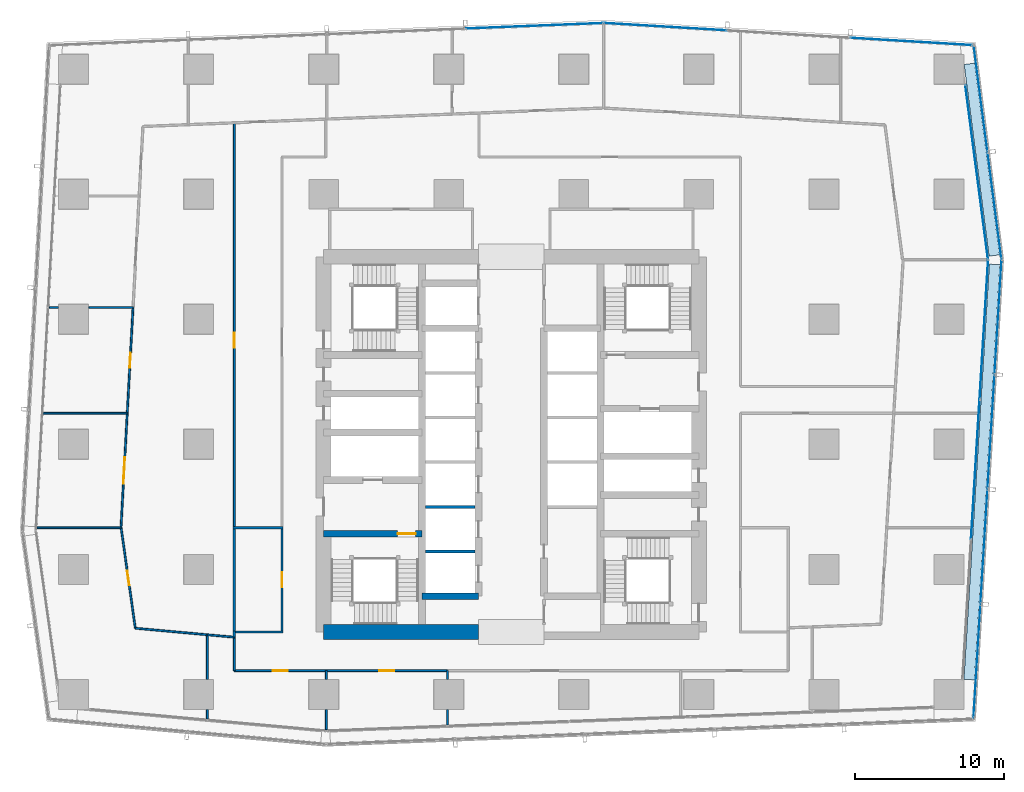
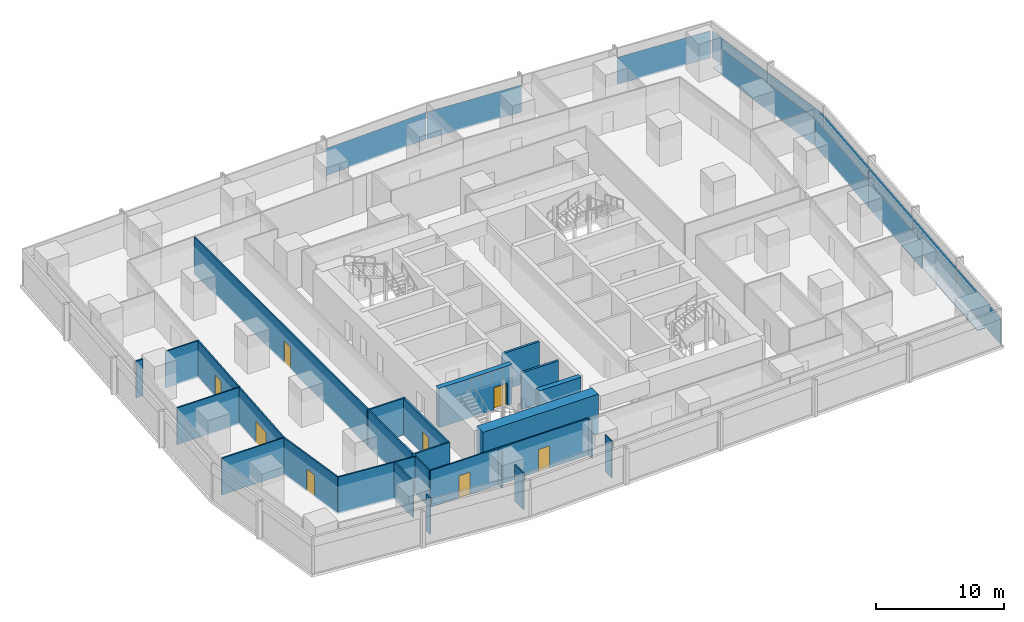
# One storey, part 28 of 39: 29 walls, 14 plates, 8 doors, 8 openings, 6 elements without a shape of their own.
"""IFC4 building model written with IfcOpenShell, lengths in metres."""

from ifc_helpers import new_model, si_unit, direction, frame, frame_2d, origin, origin_2d, place, context, subcontext, project, spatial, rectangle, extrude, material, layer, layer_set, type_object, element, fill, aggregate, save


model = new_model("IFC4")

# Units and contexts
model_context = context("Model", 3, precision=1e-05, world=origin(), true_north=direction((0.0, 1.0)))
body_context = subcontext(model_context, "Body", "Model", "MODEL_VIEW")
ifc_project = project(units=[si_unit("LENGTHUNIT", "METRE"), si_unit("AREAUNIT", "SQUARE_METRE"), si_unit("VOLUMEUNIT", "CUBIC_METRE"), si_unit("PLANEANGLEUNIT", "RADIAN"), si_unit("MASSUNIT", "GRAM", prefix="KILO")], contexts=[model_context])

# Site, building, storey
site_placement = place(None, origin())
site = spatial("IfcSite", under=ifc_project, at=site_placement, CompositionType="ELEMENT")
building_placement = place(site_placement, origin())
building = spatial("IfcBuilding", under=site, at=building_placement, Name="Rekha Terrace Tower", CompositionType="ELEMENT")
storey_placement = place(building_placement, frame((0.0, 0.0, 147.800048828125)))
storey = spatial("IfcBuildingStorey", under=building, at=storey_placement, Name="L37", CompositionType="ELEMENT", Elevation=147.800048828125)

# Curtain wall, plates
ifc_material_1 = material(Name="Aluminium framing", Category="aluminium")
curtain_wall_type_1 = type_object("IfcCurtainWallType", Name="CW1 double skin inner glazing", PredefinedType="USERDEFINED", material=ifc_material_1)
curtain_wall_1_placement = place(storey_placement, origin())
curtain_wall_1 = element("IfcCurtainWall", 1, at=curtain_wall_1_placement, inside=storey, type_object=curtain_wall_type_1, Name="CW1 double skin inner glazing", ObjectType="DOUBLE SKIN INNER GLAZING", PredefinedType="USERDEFINED")
ifc_material_2 = material(Name="Double-glazed low-e unit 32", Category="glass")
ifc_layer_1 = layer(ifc_material_2, 0.031982421875)
ifc_layer_set_1 = layer_set([ifc_layer_1], Name="Double-glazed low-e unit 32")
plate_type_1 = type_object("IfcPlateType", Name="CW1 jumbo vision panel, double-glazed low-e unit 32", PredefinedType="CURTAIN_PANEL", material=ifc_layer_set_1)
plate_1_placement = place(storey_placement, frame((68.973388671875, 31.898681640625, 0.0), z_axis=(0.0, 0.0, 1.0), x_axis=(0.061159803131, 0.998127987024, 0.0)))
plate_1 = element("IfcPlate", 2, at=plate_1_placement, type_object=plate_type_1, Name="CW1 panel 2.1", PredefinedType="CURTAIN_PANEL", context=body_context, shape_type="SweptSolid", body=[
    extrude(rectangle(XDim=9.334716796875, YDim=0.031982421875, at=origin_2d()), origin(), (0.0, 0.0, 1.0), 2.60009765625),
])
plate_2_placement = place(storey_placement, frame((69.54931640625, 41.296875, 0.0), z_axis=(0.0, 0.0, 1.0), x_axis=(0.061159803131, 0.998127987024, 0.0)))
plate_2 = element("IfcPlate", 3, at=plate_2_placement, type_object=plate_type_1, Name="CW1 panel 3.1", PredefinedType="CURTAIN_PANEL", context=body_context, shape_type="SweptSolid", body=[
    extrude(rectangle(XDim=9.3671875, YDim=0.031982421875, at=origin_2d()), origin(), (0.0, 0.0, 1.0), 2.60009765625),
])
aggregate(curtain_wall_1, [plate_1, plate_2])

# Curtain wall, plate
curtain_wall_2_placement = place(storey_placement, origin())
curtain_wall_2 = element("IfcCurtainWall", 4, at=curtain_wall_2_placement, inside=storey, type_object=curtain_wall_type_1, Name="CW1 double skin inner glazing", ObjectType="DOUBLE SKIN INNER GLAZING", PredefinedType="USERDEFINED")
plate_3_placement = place(storey_placement, frame((69.066162109375, 51.882080078125, 0.0), z_axis=(0.0, 0.0, 1.0), x_axis=(-0.129118383675, 0.991629186237, 0.0)))
plate_3 = element("IfcPlate", 5, at=plate_3_placement, type_object=plate_type_1, Name="CW1 panel 1.1", PredefinedType="CURTAIN_PANEL", context=body_context, shape_type="SweptSolid", body=[
    extrude(rectangle(XDim=11.79052734375, YDim=0.031982421875, at=origin_2d()), origin(), (0.0, 0.0, 1.0), 2.60009765625),
])
aggregate(curtain_wall_2, [plate_3])

# Curtain wall, plates
curtain_wall_type_2 = type_object("IfcCurtainWallType", Name="CW2 double skin outer glazing", PredefinedType="USERDEFINED", material=ifc_material_1)
curtain_wall_3_placement = place(storey_placement, origin())
curtain_wall_3 = element("IfcCurtainWall", 6, at=curtain_wall_3_placement, inside=storey, type_object=curtain_wall_type_2, Name="CW2 double skin outer glazing", ObjectType="DOUBLE SKIN OUTER GLAZING", PredefinedType="USERDEFINED")
ifc_material_3 = material(Name="Toughened single glazing 12", Category="glass")
ifc_layer_2 = layer(ifc_material_3, 0.011962890625)
ifc_layer_set_2 = layer_set([ifc_layer_2], Name="Toughened single glazing 12")
plate_type_2 = type_object("IfcPlateType", Name="CW2 jumbo vision panel, toughened single glazing 12", PredefinedType="CURTAIN_PANEL", material=ifc_layer_set_2)
plate_4_placement = place(storey_placement, frame((69.086669921875, 19.0302734375, 0.0), z_axis=(0.0, 0.0, 1.0), x_axis=(0.061159803131, 0.998127987024, 0.0)))
plate_4 = element("IfcPlate", 7, at=plate_4_placement, type_object=plate_type_2, Name="CW2 panel 1.1", PredefinedType="CURTAIN_PANEL", context=body_context, shape_type="SweptSolid", body=[
    extrude(rectangle(XDim=7.6064453125, YDim=0.011962890625, at=origin_2d()), origin(), (0.0, 0.0, 1.0), 2.60009765625),
])
plate_5_placement = place(storey_placement, frame((69.557861328125, 26.722412109375, 0.0), z_axis=(0.0, 0.0, 1.0), x_axis=(0.061159803131, 0.998127987024, 0.0)))
plate_5 = element("IfcPlate", 8, at=plate_5_placement, type_object=plate_type_2, Name="CW2 panel 2.1", PredefinedType="CURTAIN_PANEL", context=body_context, shape_type="SweptSolid", body=[
    extrude(rectangle(XDim=7.646484375, YDim=0.011962890625, at=origin_2d()), origin(), (0.0, 0.0, 1.0), 2.60009765625),
])
plate_6_placement = place(storey_placement, frame((70.030517578125, 34.434326171875, 0.0), z_axis=(0.0, 0.0, 1.0), x_axis=(0.061159803131, 0.998127987024, 0.0)))
plate_6 = element("IfcPlate", 9, at=plate_6_placement, type_object=plate_type_2, Name="CW2 panel 3.1", PredefinedType="CURTAIN_PANEL", context=body_context, shape_type="SweptSolid", body=[
    extrude(rectangle(XDim=7.646484375, YDim=0.011962890625, at=origin_2d()), origin(), (0.0, 0.0, 1.0), 2.60009765625),
])
plate_7_placement = place(storey_placement, frame((70.50439453125, 42.16650390625, 0.0), z_axis=(0.0, 0.0, 1.0), x_axis=(0.061159803131, 0.998127987024, 0.0)))
plate_7 = element("IfcPlate", 10, at=plate_7_placement, type_object=plate_type_2, Name="CW2 panel 4.1", PredefinedType="CURTAIN_PANEL", context=body_context, shape_type="SweptSolid", body=[
    extrude(rectangle(XDim=7.6865234375, YDim=0.011962890625, at=origin_2d()), origin(), (0.0, 0.0, 1.0), 2.60009765625),
])
aggregate(curtain_wall_3, [plate_4, plate_5, plate_6, plate_7])

curtain_wall_4_placement = place(storey_placement, origin())
curtain_wall_4 = element("IfcCurtainWall", 11, at=curtain_wall_4_placement, inside=storey, type_object=curtain_wall_type_2, Name="CW2 double skin outer glazing", ObjectType="DOUBLE SKIN OUTER GLAZING", PredefinedType="USERDEFINED")
plate_8_placement = place(storey_placement, frame((70.2666015625, 49.6337890625, 0.0), z_axis=(0.0, 0.0, 1.0), x_axis=(-0.129118383623, 0.991629186244, 0.0)))
plate_8 = element("IfcPlate", 12, at=plate_8_placement, type_object=plate_type_2, Name="CW2 panel 1.1", PredefinedType="CURTAIN_PANEL", context=body_context, shape_type="SweptSolid", body=[
    extrude(rectangle(XDim=7.163818359375, YDim=0.011962890625, at=origin_2d()), origin(), (0.0, 0.0, 1.0), 2.60009765625),
])
plate_9_placement = place(storey_placement, frame((69.331298828125, 56.81689453125, 0.0), z_axis=(0.0, 0.0, 1.0), x_axis=(-0.129118383623, 0.991629186244, 0.0)))
plate_9 = element("IfcPlate", 13, at=plate_9_placement, type_object=plate_type_2, Name="CW2 panel 2.1", PredefinedType="CURTAIN_PANEL", context=body_context, shape_type="SweptSolid", body=[
    extrude(rectangle(XDim=7.163818359375, YDim=0.011962890625, at=origin_2d()), origin(), (0.0, 0.0, 1.0), 2.60009765625),
])
aggregate(curtain_wall_4, [plate_8, plate_9])

curtain_wall_type_3 = type_object("IfcCurtainWallType", Name="CW3 north unitised glazing", PredefinedType="USERDEFINED", material=ifc_material_1)
curtain_wall_5_placement = place(storey_placement, origin())
curtain_wall_5 = element("IfcCurtainWall", 14, at=curtain_wall_5_placement, inside=storey, type_object=curtain_wall_type_3, Name="CW3 unitised curtain wall", ObjectType="UNITISED CURTAIN WALL", PredefinedType="USERDEFINED")
ifc_material_4 = material(Name="Double-glazed unit 28", Category="glass")
ifc_layer_3 = layer(ifc_material_4, 0.028076171875)
ifc_layer_set_3 = layer_set([ifc_layer_3], Name="Double-glazed unit 28")
plate_type_3 = type_object("IfcPlateType", Name="CW3 jumbo vision panel, double-glazed unit 28", PredefinedType="CURTAIN_PANEL", material=ifc_layer_set_3)
plate_10_placement = place(storey_placement, frame((64.6748046875, 60.65966796875, 0.0), z_axis=(0.0, 0.0, 1.0), x_axis=(-0.998199102701, 0.059987926837, 0.0)))
plate_10 = element("IfcPlate", 15, at=plate_10_placement, type_object=plate_type_3, Name="CW3 panel 1.1", PredefinedType="CURTAIN_PANEL", context=body_context, shape_type="SweptSolid", body=[
    extrude(rectangle(XDim=8.171630859375, YDim=0.028076171875, at=origin_2d()), origin(), (0.0, 0.0, 1.0), 2.60009765625),
])
plate_11_placement = place(storey_placement, frame((48.1513671875, 61.652587890625, 0.0), z_axis=(0.0, 0.0, 1.0), x_axis=(-0.998199102701, 0.059987926837, 0.0)))
plate_11 = element("IfcPlate", 16, at=plate_11_placement, type_object=plate_type_3, Name="CW3 panel 3.1", PredefinedType="CURTAIN_PANEL", context=body_context, shape_type="SweptSolid", body=[
    extrude(rectangle(XDim=8.24169921875, YDim=0.028076171875, at=origin_2d()), origin(), (0.0, 0.0, 1.0), 2.60009765625),
])
aggregate(curtain_wall_5, [plate_10, plate_11])

# Curtain wall, plate
curtain_wall_6_placement = place(storey_placement, origin())
curtain_wall_6 = element("IfcCurtainWall", 17, at=curtain_wall_6_placement, inside=storey, type_object=curtain_wall_type_3, Name="CW3 unitised curtain wall", ObjectType="UNITISED CURTAIN WALL", PredefinedType="USERDEFINED")
plate_12_placement = place(storey_placement, frame((39.364501953125, 61.71240234375, 0.0), z_axis=(0.0, 0.0, 1.0), x_axis=(-0.999198398721, -0.040031987119, 0.0)))
plate_12 = element("IfcPlate", 18, at=plate_12_placement, type_object=plate_type_3, Name="CW3 panel 1.1", PredefinedType="CURTAIN_PANEL", context=body_context, shape_type="SweptSolid", body=[
    extrude(rectangle(XDim=9.214599609375, YDim=0.028076171875, at=origin_2d()), origin(), (0.0, 0.0, 1.0), 2.60009765625),
])
aggregate(curtain_wall_6, [plate_12])

# Plates
ifc_material_5 = material(Name="Galvanised steel open grating", Category="steel")
ifc_layer_4 = layer(ifc_material_5, 0.050048828125)
ifc_layer_set_4 = layer_set([ifc_layer_4], Name="Galvanised steel open grating")
plate_type_4 = type_object("IfcPlateType", Name="GT1 cavity walkway grating 50", PredefinedType="USERDEFINED", material=ifc_layer_set_4)
plate_13_placement = place(storey_placement, frame((69.414794921875, 31.742919921875, 0.0), z_axis=(0.0, 0.0, 1.0), x_axis=(0.061159803131, 0.998127987024, 0.0)))
element("IfcPlate", 19, at=plate_13_placement, inside=storey, type_object=plate_type_4, Name="Cavity walkway grating", ObjectType="CAVITY WALKWAY GRATING", PredefinedType="USERDEFINED", context=body_context, shape_type="SweptSolid", body=[
    extrude(rectangle(XDim=27.94189453125, YDim=0.705078125, at=origin_2d()), origin(), (0.0, 0.0, 1.0), 0.050048828125),
])
plate_14_placement = place(storey_placement, frame((69.410400390625, 52.723876953125, 0.0), z_axis=(0.0, 0.0, 1.0), x_axis=(-0.129118383623, 0.991629186244, 0.0)))
element("IfcPlate", 20, at=plate_14_placement, inside=storey, type_object=plate_type_4, Name="Cavity walkway grating", ObjectType="CAVITY WALKWAY GRATING", PredefinedType="USERDEFINED", context=body_context, shape_type="SweptSolid", body=[
    extrude(rectangle(XDim=12.987060546875, YDim=0.705078125, at=origin_2d()), origin(), (0.0, 0.0, 1.0), 0.050048828125),
])

# Wall
ifc_material_6 = material(Name="Concrete M70", Category="concrete")
ifc_layer_5 = layer(ifc_material_6, 0.449951171875)
ifc_layer_set_5 = layer_set([ifc_layer_5], Name="Concrete M70")
wall_type_1 = type_object("IfcWallType", Name="CI2 450 core internal shear wall", PredefinedType="SHEAR", material=ifc_layer_set_5)
wall_1_placement = place(storey_placement, frame((31.800048828125, 23.39990234375, 0.0), z_axis=(0.0, 0.0, 1.0), x_axis=(1.0, 0.0, 0.0)))
element("IfcWall", 21, at=wall_1_placement, inside=storey, type_object=wall_type_1, Name="Core wall Y234W L37", PredefinedType="SHEAR", context=body_context, shape_type="SweptSolid", body=[
    extrude(rectangle(XDim=3.800048828125, YDim=0.449951171875, at=frame_2d((1.89990234375, 0.0))), origin(), (0.0, 0.0, 1.0), 3.75),
])

# Wall, opening, door
wall_2_placement = place(storey_placement, frame((25.199951171875, 27.60009765625, 0.0), z_axis=(0.0, 0.0, 1.0), x_axis=(1.0, 0.0, 0.0)))
wall_2 = element("IfcWall", 22, at=wall_2_placement, inside=storey, type_object=wall_type_1, Name="Core wall Y276W L37", PredefinedType="SHEAR", context=body_context, shape_type="SweptSolid", body=[
    extrude(rectangle(XDim=6.60009765625, YDim=0.449951171875, at=frame_2d((3.300048828125, 0.0))), origin(), (0.0, 0.0, 1.0), 3.75),
])
opening_1_placement = place(wall_2_placement, frame((4.97509765625, 0.0, 0.0)))
opening_1 = element("IfcOpeningElement", 23, at=opening_1_placement, cuts=wall_2, Name="Opening D1", PredefinedType="OPENING", context=body_context, shape_type="SweptSolid", body=[
    extrude(rectangle(XDim=1.199951171875, YDim=2.10009765625, at=frame_2d((0.60009765625, 1.050048828125))), frame((0.0, 0.23486328125, 0.0), z_axis=(0.0, -1.0, 0.0), x_axis=(1.0, 0.0, 0.0)), (0.0, 0.0, 1.0), 0.469970703125),
])
ifc_material_7 = material(Name="Steel fire door", Category="steel")
door_type_1 = type_object("IfcDoorType", Name="D1 1200x2100 stair fire door", OperationType="SINGLE_SWING_RIGHT", PredefinedType="DOOR", material=ifc_material_7)
door_1_placement = place(opening_1_placement, origin())
door_1 = element("IfcDoor", 24, at=door_1_placement, inside=storey, type_object=door_type_1, Name="Stair ST1 door L37", OperationType="SINGLE_SWING_RIGHT", OverallHeight=2.10009765625, OverallWidth=1.199951171875, PredefinedType="DOOR", context=body_context, shape_type="SweptSolid", body=[
    extrude(rectangle(XDim=1.199951171875, YDim=2.10009765625, at=frame_2d((0.60009765625, 1.050048828125))), frame((0.0, 0.02490234375, 0.0), z_axis=(0.0, -1.0, 0.0), x_axis=(1.0, 0.0, 0.0)), (0.0, 0.0, 1.0), 0.050048828125),
])
fill(opening_1, door_1)

# Walls
ifc_layer_6 = layer(ifc_material_6, 1.0)
ifc_layer_set_6 = layer_set([ifc_layer_6], Name="Concrete M70")
wall_type_2 = type_object("IfcWallType", Name="SW2 1000 core outer shear wall", PredefinedType="SHEAR", material=ifc_layer_set_6)
wall_3_placement = place(storey_placement, frame((25.199951171875, 21.0, 0.0), z_axis=(0.0, 0.0, 1.0), x_axis=(1.0, 0.0, 0.0)))
element("IfcWall", 25, at=wall_3_placement, inside=storey, type_object=wall_type_2, Name="Core wall S1 L37", PredefinedType="SHEAR", context=body_context, shape_type="SweptSolid", body=[
    extrude(rectangle(XDim=10.400146484375, YDim=1.0, at=frame_2d((5.2001953125, 0.0))), origin(), (0.0, 0.0, 1.0), 3.75),
])
ifc_material_8 = material(Name="Concrete block masonry, 1 hour", Category="masonry")
ifc_layer_7 = layer(ifc_material_8, 0.14990234375)
ifc_layer_set_7 = layer_set([ifc_layer_7], Name="Concrete block masonry, 1 hour")
wall_type_3 = type_object("IfcWallType", Name="WP2 150 tenancy partition", PredefinedType="PARTITIONING", material=ifc_layer_set_7)
for number, where, z_axis, x_axis, name in (
    (26, (19.125, 21.0, 0.0), (0.0, 0.0, 1.0), (1.0, 0.0, 0.0), "Men's WC wall L37"),
    (27, (19.125, 28.0, 0.0), (0.0, 0.0, 1.0), (1.0, 0.0, 0.0), "Men's WC wall L37"),
):
    element("IfcWall", number, at=place(storey_placement, frame(where, z_axis=z_axis, x_axis=x_axis)), inside=storey, type_object=wall_type_3, Name=name, PredefinedType="PARTITIONING", context=body_context, shape_type="SweptSolid", body=[
        extrude(rectangle(XDim=3.35009765625, YDim=0.14990234375, at=frame_2d((1.675048828125, 0.0))), origin(), (0.0, 0.0, 1.0), 3.5),
    ])
wall_4_placement = place(storey_placement, frame((19.199951171875, 21.074951171875, 0.0), z_axis=(0.0, 0.0, 1.0), x_axis=(0.0, 1.0, 0.0)))
element("IfcWall", 28, at=wall_4_placement, inside=storey, type_object=wall_type_3, Name="Men's WC wall L37", PredefinedType="PARTITIONING", context=body_context, shape_type="SweptSolid", body=[
    extrude(rectangle(XDim=6.85009765625, YDim=0.14990234375, at=frame_2d((3.425048828125, 0.0))), origin(), (0.0, 0.0, 1.0), 3.5),
])

# Wall, opening, door
wall_5_placement = place(storey_placement, frame((22.39990234375, 21.074951171875, 0.0), z_axis=(0.0, 0.0, 1.0), x_axis=(0.0, 1.0, 0.0)))
wall_5 = element("IfcWall", 29, at=wall_5_placement, inside=storey, type_object=wall_type_3, Name="Men's WC wall L37", PredefinedType="PARTITIONING", context=body_context, shape_type="SweptSolid", body=[
    extrude(rectangle(XDim=6.85009765625, YDim=0.14990234375, at=frame_2d((3.425048828125, 0.0))), origin(), (0.0, 0.0, 1.0), 3.5),
])
opening_2_placement = place(wall_5_placement, frame((2.925048828125, 0.0, 0.0)))
opening_2 = element("IfcOpeningElement", 30, at=opening_2_placement, cuts=wall_5, Name="Opening D3", PredefinedType="OPENING", context=body_context, shape_type="SweptSolid", body=[
    extrude(rectangle(XDim=1.0, YDim=2.10009765625, at=frame_2d((0.5, 1.050048828125))), frame((0.0, 0.0849609375, 0.0), z_axis=(0.0, -1.0, 0.0), x_axis=(1.0, 0.0, 0.0)), (0.0, 0.0, 1.0), 0.169921875),
])
ifc_material_9 = material(Name="Laminated timber fire door", Category="wood")
door_type_2 = type_object("IfcDoorType", Name="D3 1000x2100 WC door", OperationType="SINGLE_SWING_LEFT", PredefinedType="DOOR", material=ifc_material_9)
door_2_placement = place(opening_2_placement, origin())
door_2 = element("IfcDoor", 31, at=door_2_placement, inside=storey, type_object=door_type_2, Name="Door men's wc L37", OperationType="SINGLE_SWING_LEFT", OverallHeight=2.10009765625, OverallWidth=1.0, PredefinedType="DOOR", context=body_context, shape_type="SweptSolid", body=[
    extrude(rectangle(XDim=1.0, YDim=2.10009765625, at=frame_2d((0.5, 1.050048828125))), frame((0.0, 0.02490234375, 0.0), z_axis=(0.0, -1.0, 0.0), x_axis=(1.0, 0.0, 0.0)), (0.0, 0.0, 1.0), 0.050048828125),
])
fill(opening_2, door_2)

# Walls
wall_6_placement = place(storey_placement, frame((19.199951171875, 21.074951171875, 0.0), z_axis=(0.0, 0.0, 1.0), x_axis=(0.0, -1.0, 0.0)))
element("IfcWall", 32, at=wall_6_placement, inside=storey, type_object=wall_type_3, Name="Partition L37-O1e", PredefinedType="PARTITIONING", context=body_context, shape_type="SweptSolid", body=[
    extrude(rectangle(XDim=0.430908203125, YDim=0.14990234375, at=frame_2d((0.21533203125, 0.0))), origin(), (0.0, 0.0, 1.0), 3.5),
])
ifc_material_10 = material(Name="Two layers of fire-rated gypsum board each side on steel studs, acoustic quilt, 1 hour", Category="steel")
ifc_layer_8 = layer(ifc_material_10, 0.125)
ifc_layer_set_8 = layer_set([ifc_layer_8], Name="Two layers of fire-rated gypsum board each side on steel studs, acoustic quilt, 1 hour")
wall_type_4 = type_object("IfcWallType", Name="WP3 125 office partition", PredefinedType="PARTITIONING", material=ifc_layer_set_8)
wall_7_placement = place(storey_placement, frame((12.39404296875, 42.794921875, 0.0), z_axis=(0.0, 0.0, 1.0), x_axis=(-1.0, 0.0, 0.0)))
element("IfcWall", 33, at=wall_7_placement, inside=storey, type_object=wall_type_4, Name="Partition L37-13", PredefinedType="PARTITIONING", context=body_context, shape_type="SweptSolid", body=[
    extrude(rectangle(XDim=2.97412109375, YDim=0.125, at=frame_2d((1.487060546875, 0.0))), origin(), (0.0, 0.0, 1.0), 3.5),
])
wall_8_placement = place(storey_placement, frame((7.3798828125, 42.794921875, 0.0), z_axis=(0.0, 0.0, 1.0), x_axis=(-1.0, 0.0, 0.0)))
element("IfcWall", 34, at=wall_8_placement, inside=storey, type_object=wall_type_4, Name="Partition L37-13", PredefinedType="PARTITIONING", context=body_context, shape_type="SweptSolid", body=[
    extrude(rectangle(XDim=0.61376953125, YDim=0.125, at=frame_2d((0.306884765625, 0.0))), origin(), (0.0, 0.0, 1.0), 3.5),
])

# Wall, opening, door
wall_9_placement = place(storey_placement, frame((12.39404296875, 42.7939453125, 0.0), z_axis=(0.0, 0.0, 1.0), x_axis=(-0.054820208694, -0.998496241715, 0.0)))
wall_9 = element("IfcWall", 35, at=wall_9_placement, inside=storey, type_object=wall_type_4, Name="Partition L37-14", PredefinedType="PARTITIONING", context=body_context, shape_type="SweptSolid", body=[
    extrude(rectangle(XDim=7.11669921875, YDim=0.125, at=frame_2d((3.558349609375, 0.0))), origin(), (0.0, 0.0, 1.0), 3.5),
])
opening_3_placement = place(wall_9_placement, frame((3.05810546875, 0.0, 0.0)))
opening_3 = element("IfcOpeningElement", 36, at=opening_3_placement, cuts=wall_9, Name="Opening D9", PredefinedType="OPENING", context=body_context, shape_type="SweptSolid", body=[
    extrude(rectangle(XDim=1.0, YDim=2.10009765625, at=frame_2d((0.5, 1.050048828125))), frame((0.0, 0.072509765625, 0.0), z_axis=(0.0, -1.0, 0.0), x_axis=(1.0, 0.0, 0.0)), (0.0, 0.0, 1.0), 0.14501953125),
])
ifc_material_11 = material(Name="Timber fire door", Category="wood")
door_type_3 = type_object("IfcDoorType", Name="D9 1000x2100 office door", OperationType="SINGLE_SWING_LEFT", PredefinedType="DOOR", material=ifc_material_11)
door_3_placement = place(opening_3_placement, origin())
door_3 = element("IfcDoor", 37, at=door_3_placement, inside=storey, type_object=door_type_3, Name="Door office L37", OperationType="SINGLE_SWING_LEFT", OverallHeight=2.10009765625, OverallWidth=1.0, PredefinedType="DOOR", context=body_context, shape_type="SweptSolid", body=[
    extrude(rectangle(XDim=1.0, YDim=2.10009765625, at=frame_2d((0.5, 1.050048828125))), frame((0.0, 0.02490234375, 0.0), z_axis=(0.0, -1.0, 0.0), x_axis=(1.0, 0.0, 0.0)), (0.0, 0.0, 1.0), 0.050048828125),
])
fill(opening_3, door_3)

# Wall
wall_10_placement = place(storey_placement, frame((12.00390625, 35.68798828125, 0.0), z_axis=(0.0, 0.0, 1.0), x_axis=(-1.0, 0.0, 0.0)))
element("IfcWall", 38, at=wall_10_placement, inside=storey, type_object=wall_type_4, Name="Partition L37-14", PredefinedType="PARTITIONING", context=body_context, shape_type="SweptSolid", body=[
    extrude(rectangle(XDim=5.657958984375, YDim=0.125, at=frame_2d((2.8291015625, 0.0))), origin(), (0.0, 0.0, 1.0), 3.5),
])

# Wall, opening, door
wall_11_placement = place(storey_placement, frame((12.00390625, 35.68701171875, 0.0), z_axis=(0.0, 0.0, 1.0), x_axis=(-0.054672599676, -0.998504334915, 0.0)))
wall_11 = element("IfcWall", 39, at=wall_11_placement, inside=storey, type_object=wall_type_4, Name="Partition L37-15", PredefinedType="PARTITIONING", context=body_context, shape_type="SweptSolid", body=[
    extrude(rectangle(XDim=7.698486328125, YDim=0.125, at=frame_2d((3.84912109375, 0.0))), origin(), (0.0, 0.0, 1.0), 3.5),
])
opening_4_placement = place(wall_11_placement, frame((2.948974609375, 0.0, 0.0)))
opening_4 = element("IfcOpeningElement", 40, at=opening_4_placement, cuts=wall_11, Name="Opening D8", PredefinedType="OPENING", context=body_context, shape_type="SweptSolid", body=[
    extrude(rectangle(XDim=1.800048828125, YDim=2.10009765625, at=frame_2d((0.89990234375, 1.050048828125))), frame((0.0, 0.072509765625, 0.0), z_axis=(0.0, -1.0, 0.0), x_axis=(1.0, 0.0, 0.0)), (0.0, 0.0, 1.0), 0.14501953125),
])
door_type_4 = type_object("IfcDoorType", Name="D8 1800x2100 double leaf door", OperationType="DOUBLE_DOOR_SINGLE_SWING", PredefinedType="DOOR", material=ifc_material_11)
door_4_placement = place(opening_4_placement, origin())
door_4 = element("IfcDoor", 41, at=door_4_placement, inside=storey, type_object=door_type_4, Name="Door meeting room L37", OperationType="DOUBLE_DOOR_SINGLE_SWING", OverallHeight=2.10009765625, OverallWidth=1.800048828125, PredefinedType="DOOR", context=body_context, shape_type="SweptSolid", body=[
    extrude(rectangle(XDim=1.800048828125, YDim=2.10009765625, at=frame_2d((0.89990234375, 1.050048828125))), frame((0.0, 0.02490234375, 0.0), z_axis=(0.0, -1.0, 0.0), x_axis=(1.0, 0.0, 0.0)), (0.0, 0.0, 1.0), 0.050048828125),
])
fill(opening_4, door_4)

# Wall
wall_12_placement = place(storey_placement, frame((11.5830078125, 28.0, 0.0), z_axis=(0.0, 0.0, 1.0), x_axis=(-1.0, 0.0, 0.0)))
element("IfcWall", 42, at=wall_12_placement, inside=storey, type_object=wall_type_4, Name="Partition L37-15", PredefinedType="PARTITIONING", context=body_context, shape_type="SweptSolid", body=[
    extrude(rectangle(XDim=5.62890625, YDim=0.125, at=frame_2d((2.814453125, 0.0))), origin(), (0.0, 0.0, 1.0), 3.5),
])

# Wall, opening, door
wall_13_placement = place(storey_placement, frame((11.593994140625, 27.9990234375, 0.0), z_axis=(0.0, 0.0, 1.0), x_axis=(0.139621335816, -0.990204969986, 0.0)))
wall_13 = element("IfcWall", 43, at=wall_13_placement, inside=storey, type_object=wall_type_4, Name="Partition L37-16", PredefinedType="PARTITIONING", context=body_context, shape_type="SweptSolid", body=[
    extrude(rectangle(XDim=6.81787109375, YDim=0.125, at=frame_2d((3.408935546875, 0.0))), origin(), (0.0, 0.0, 1.0), 3.5),
])
opening_5_placement = place(wall_13_placement, frame((2.908935546875, 0.0, 0.0)))
opening_5 = element("IfcOpeningElement", 44, at=opening_5_placement, cuts=wall_13, Name="Opening D9", PredefinedType="OPENING", context=body_context, shape_type="SweptSolid", body=[
    extrude(rectangle(XDim=1.0, YDim=2.10009765625, at=frame_2d((0.5, 1.050048828125))), frame((0.0, 0.072509765625, 0.0), z_axis=(0.0, -1.0, 0.0), x_axis=(1.0, 0.0, 0.0)), (0.0, 0.0, 1.0), 0.14501953125),
])
door_5_placement = place(opening_5_placement, origin())
door_5 = element("IfcDoor", 45, at=door_5_placement, inside=storey, type_object=door_type_3, Name="Door director's office L37", OperationType="SINGLE_SWING_LEFT", OverallHeight=2.10009765625, OverallWidth=1.0, PredefinedType="DOOR", context=body_context, shape_type="SweptSolid", body=[
    extrude(rectangle(XDim=1.0, YDim=2.10009765625, at=frame_2d((0.5, 1.050048828125))), frame((0.0, 0.02490234375, 0.0), z_axis=(0.0, -1.0, 0.0), x_axis=(1.0, 0.0, 0.0)), (0.0, 0.0, 1.0), 0.050048828125),
])
fill(opening_5, door_5)

# Walls
wall_14_placement = place(storey_placement, frame((12.5458984375, 21.248046875, 0.0), z_axis=(0.0, 0.0, 1.0), x_axis=(0.995909256007, -0.090359027214, 0.0)))
element("IfcWall", 46, at=wall_14_placement, inside=storey, type_object=wall_type_4, Name="Partition L37-16", PredefinedType="PARTITIONING", context=body_context, shape_type="SweptSolid", body=[
    extrude(rectangle(XDim=4.85791015625, YDim=0.125, at=frame_2d((2.428955078125, 0.0))), origin(), (0.0, 0.0, 1.0), 3.5),
])
wall_15_placement = place(storey_placement, frame((17.384033203125, 20.80908203125, 0.0), z_axis=(0.0, 0.0, 1.0), x_axis=(0.0, -1.0, 0.0)))
element("IfcWall", 47, at=wall_15_placement, inside=storey, type_object=wall_type_4, Name="Partition L37-16", PredefinedType="PARTITIONING", context=body_context, shape_type="SweptSolid", body=[
    extrude(rectangle(XDim=2.989013671875, YDim=0.125, at=frame_2d((1.49462890625, 0.0))), origin(), (0.0, 0.0, 1.0), 3.5),
])
wall_16_placement = place(storey_placement, frame((17.384033203125, 15.780029296875, 0.0), z_axis=(0.0, 0.0, 1.0), x_axis=(0.0, -1.0, 0.0)))
element("IfcWall", 48, at=wall_16_placement, inside=storey, type_object=wall_type_4, Name="Partition L37-16", PredefinedType="PARTITIONING", context=body_context, shape_type="SweptSolid", body=[
    extrude(rectangle(XDim=0.614013671875, YDim=0.125, at=frame_2d((0.30712890625, 0.0))), origin(), (0.0, 0.0, 1.0), 3.5),
])
wall_17_placement = place(storey_placement, frame((17.385009765625, 20.80908203125, 0.0), z_axis=(0.0, 0.0, 1.0), x_axis=(0.995891010038, -0.090559903522, 0.0)))
element("IfcWall", 49, at=wall_17_placement, inside=storey, type_object=wall_type_4, Name="Partition L37-17", PredefinedType="PARTITIONING", context=body_context, shape_type="SweptSolid", body=[
    extrude(rectangle(XDim=1.822509765625, YDim=0.125, at=frame_2d((0.9111328125, 0.0))), origin(), (0.0, 0.0, 1.0), 3.5),
])
wall_18_placement = place(storey_placement, frame((19.199951171875, 20.64404296875, 0.0), z_axis=(0.0, 0.0, 1.0), x_axis=(0.0, -1.0, 0.0)))
element("IfcWall", 50, at=wall_18_placement, inside=storey, type_object=wall_type_4, Name="Partition L37-17", PredefinedType="PARTITIONING", context=body_context, shape_type="SweptSolid", body=[
    extrude(rectangle(XDim=2.244140625, YDim=0.125, at=frame_2d((1.1220703125, 0.0))), origin(), (0.0, 0.0, 1.0), 3.5),
])

# Wall, opening, door
wall_19_placement = place(storey_placement, frame((19.199951171875, 18.39990234375, 0.0), z_axis=(0.0, 0.0, 1.0), x_axis=(1.0, 0.0, 0.0)))
wall_19 = element("IfcWall", 51, at=wall_19_placement, inside=storey, type_object=wall_type_4, Name="Partition L37-17", PredefinedType="PARTITIONING", context=body_context, shape_type="SweptSolid", body=[
    extrude(rectangle(XDim=6.178955078125, YDim=0.125, at=frame_2d((3.08935546875, 0.0))), origin(), (0.0, 0.0, 1.0), 3.5),
])
opening_6_placement = place(wall_19_placement, frame((2.590087890625, 0.0, 0.0)))
opening_6 = element("IfcOpeningElement", 52, at=opening_6_placement, cuts=wall_19, Name="Opening D9", PredefinedType="OPENING", context=body_context, shape_type="SweptSolid", body=[
    extrude(rectangle(XDim=1.0, YDim=2.10009765625, at=frame_2d((0.5, 1.050048828125))), frame((0.0, 0.072509765625, 0.0), z_axis=(0.0, -1.0, 0.0), x_axis=(1.0, 0.0, 0.0)), (0.0, 0.0, 1.0), 0.14501953125),
])
door_6_placement = place(opening_6_placement, origin())
door_6 = element("IfcDoor", 53, at=door_6_placement, inside=storey, type_object=door_type_3, Name="Door print room L37", OperationType="SINGLE_SWING_LEFT", OverallHeight=2.10009765625, OverallWidth=1.0, PredefinedType="DOOR", context=body_context, shape_type="SweptSolid", body=[
    extrude(rectangle(XDim=1.0, YDim=2.10009765625, at=frame_2d((0.5, 1.050048828125))), frame((0.0, 0.02490234375, 0.0), z_axis=(0.0, -1.0, 0.0), x_axis=(1.0, 0.0, 0.0)), (0.0, 0.0, 1.0), 0.050048828125),
])
fill(opening_6, door_6)

# Walls
wall_20_placement = place(storey_placement, frame((25.37890625, 18.39990234375, 0.0), z_axis=(0.0, 0.0, 1.0), x_axis=(0.0, -1.0, 0.0)))
element("IfcWall", 54, at=wall_20_placement, inside=storey, type_object=wall_type_4, Name="Partition L37-17", PredefinedType="PARTITIONING", context=body_context, shape_type="SweptSolid", body=[
    extrude(rectangle(XDim=0.579833984375, YDim=0.125, at=frame_2d((0.2900390625, 0.0))), origin(), (0.0, 0.0, 1.0), 3.5),
])
wall_21_placement = place(storey_placement, frame((25.37890625, 15.780029296875, 0.0), z_axis=(0.0, 0.0, 1.0), x_axis=(0.0, -1.0, 0.0)))
element("IfcWall", 55, at=wall_21_placement, inside=storey, type_object=wall_type_4, Name="Partition L37-17", PredefinedType="PARTITIONING", context=body_context, shape_type="SweptSolid", body=[
    extrude(rectangle(XDim=1.3369140625, YDim=0.125, at=frame_2d((0.66845703125, 0.0))), origin(), (0.0, 0.0, 1.0), 3.5),
])

# Wall, opening, door
wall_22_placement = place(storey_placement, frame((25.3798828125, 18.39990234375, 0.0), z_axis=(0.0, 0.0, 1.0), x_axis=(1.0, 0.0, 0.0)))
wall_22 = element("IfcWall", 56, at=wall_22_placement, inside=storey, type_object=wall_type_4, Name="Partition L37-18", PredefinedType="PARTITIONING", context=body_context, shape_type="SweptSolid", body=[
    extrude(rectangle(XDim=8.133056640625, YDim=0.125, at=frame_2d((4.06640625, 0.0))), origin(), (0.0, 0.0, 1.0), 3.5),
])
opening_7_placement = place(wall_22_placement, frame((3.56689453125, 0.0, 0.0)))
opening_7 = element("IfcOpeningElement", 57, at=opening_7_placement, cuts=wall_22, Name="Opening D9", PredefinedType="OPENING", context=body_context, shape_type="SweptSolid", body=[
    extrude(rectangle(XDim=1.0, YDim=2.10009765625, at=frame_2d((0.5, 1.050048828125))), frame((0.0, 0.072509765625, 0.0), z_axis=(0.0, -1.0, 0.0), x_axis=(1.0, 0.0, 0.0)), (0.0, 0.0, 1.0), 0.14501953125),
])
door_7_placement = place(opening_7_placement, origin())
door_7 = element("IfcDoor", 58, at=door_7_placement, inside=storey, type_object=door_type_3, Name="Door office L37", OperationType="SINGLE_SWING_LEFT", OverallHeight=2.10009765625, OverallWidth=1.0, PredefinedType="DOOR", context=body_context, shape_type="SweptSolid", body=[
    extrude(rectangle(XDim=1.0, YDim=2.10009765625, at=frame_2d((0.5, 1.050048828125))), frame((0.0, 0.02490234375, 0.0), z_axis=(0.0, -1.0, 0.0), x_axis=(1.0, 0.0, 0.0)), (0.0, 0.0, 1.0), 0.050048828125),
])
fill(opening_7, door_7)

# Walls
wall_23_placement = place(storey_placement, frame((33.512939453125, 18.39990234375, 0.0), z_axis=(0.0, 0.0, 1.0), x_axis=(0.0, -1.0, 0.0)))
element("IfcWall", 59, at=wall_23_placement, inside=storey, type_object=wall_type_4, Name="Partition L37-18", PredefinedType="PARTITIONING", context=body_context, shape_type="SweptSolid", body=[
    extrude(rectangle(XDim=0.579833984375, YDim=0.125, at=frame_2d((0.2900390625, 0.0))), origin(), (0.0, 0.0, 1.0), 3.5),
])
wall_24_placement = place(storey_placement, frame((33.512939453125, 15.780029296875, 0.0), z_axis=(0.0, 0.0, 1.0), x_axis=(0.0, -1.0, 0.0)))
element("IfcWall", 60, at=wall_24_placement, inside=storey, type_object=wall_type_4, Name="Partition L37-18", PredefinedType="PARTITIONING", context=body_context, shape_type="SweptSolid", body=[
    extrude(rectangle(XDim=1.02001953125, YDim=0.125, at=frame_2d((0.510009765625, 0.0))), origin(), (0.0, 0.0, 1.0), 3.5),
])

# Wall, opening, door
wall_25_placement = place(storey_placement, frame((19.199951171875, 28.074951171875, 0.0), z_axis=(0.0, 0.0, 1.0), x_axis=(0.0, 1.0, 0.0)))
wall_25 = element("IfcWall", 61, at=wall_25_placement, inside=storey, type_object=wall_type_4, Name="Partition L37-19", PredefinedType="PARTITIONING", context=body_context, shape_type="SweptSolid", body=[
    extrude(rectangle(XDim=27.06298828125, YDim=0.125, at=frame_2d((13.531494140625, 0.0))), origin(), (0.0, 0.0, 1.0), 3.5),
])
opening_8_placement = place(wall_25_placement, frame((12.02490234375, 0.0, 0.0)))
opening_8 = element("IfcOpeningElement", 62, at=opening_8_placement, cuts=wall_25, Name="Opening D9", PredefinedType="OPENING", context=body_context, shape_type="SweptSolid", body=[
    extrude(rectangle(XDim=1.0, YDim=2.10009765625, at=frame_2d((0.5, 1.050048828125))), frame((0.0, 0.072509765625, 0.0), z_axis=(0.0, -1.0, 0.0), x_axis=(1.0, 0.0, 0.0)), (0.0, 0.0, 1.0), 0.14501953125),
])
door_8_placement = place(opening_8_placement, origin())
door_8 = element("IfcDoor", 63, at=door_8_placement, inside=storey, type_object=door_type_3, Name="Door open-plan office L37", OperationType="SINGLE_SWING_LEFT", OverallHeight=2.10009765625, OverallWidth=1.0, PredefinedType="DOOR", context=body_context, shape_type="SweptSolid", body=[
    extrude(rectangle(XDim=1.0, YDim=2.10009765625, at=frame_2d((0.5, 1.050048828125))), frame((0.0, 0.02490234375, 0.0), z_axis=(0.0, -1.0, 0.0), x_axis=(1.0, 0.0, 0.0)), (0.0, 0.0, 1.0), 0.050048828125),
])
fill(opening_8, door_8)

# Walls
ifc_material_12 = material(Name="Solid concrete block masonry, 2 hour", Category="masonry")
ifc_layer_9 = layer(ifc_material_12, 0.199951171875)
ifc_layer_set_9 = layer_set([ifc_layer_9], Name="Solid concrete block masonry, 2 hour")
wall_type_5 = type_object("IfcWallType", Name="WS1 200 stair and shaft enclosure", PredefinedType="PARTITIONING", material=ifc_layer_set_9)
for number, where, z_axis, x_axis, name in (
    (64, (32.02490234375, 26.39990234375, 0.0), (0.0, 0.0, 1.0), (1.0, 0.0, 0.0), "Lift shaft divider L37"),
    (65, (32.02490234375, 29.39990234375, 0.0), (0.0, 0.0, 1.0), (1.0, 0.0, 0.0), "Lift shaft divider L37"),
):
    element("IfcWall", number, at=place(storey_placement, frame(where, z_axis=z_axis, x_axis=x_axis)), inside=storey, type_object=wall_type_5, Name=name, PredefinedType="PARTITIONING", context=body_context, shape_type="SweptSolid", body=[
        extrude(rectangle(XDim=3.35009765625, YDim=0.199951171875, at=frame_2d((1.675048828125, 0.0))), origin(), (0.0, 0.0, 1.0), 3.5),
    ])

save(model, "model.ifc")
